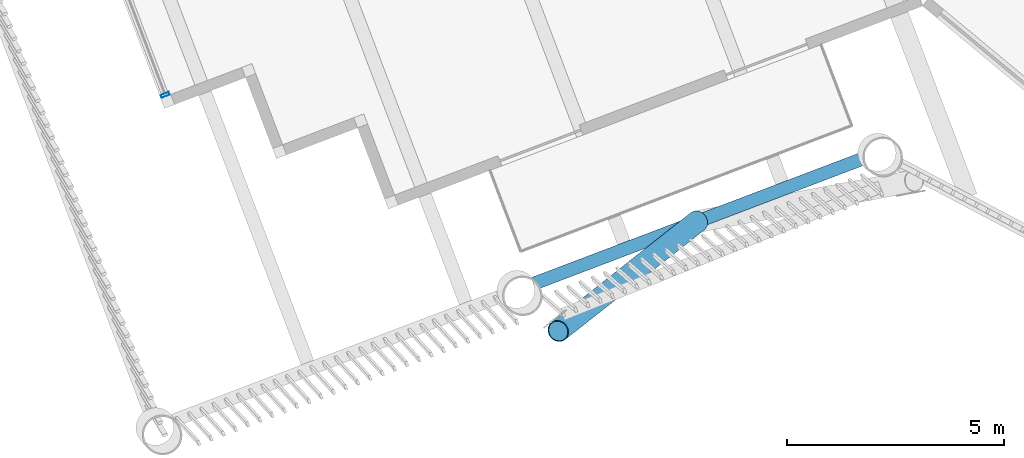
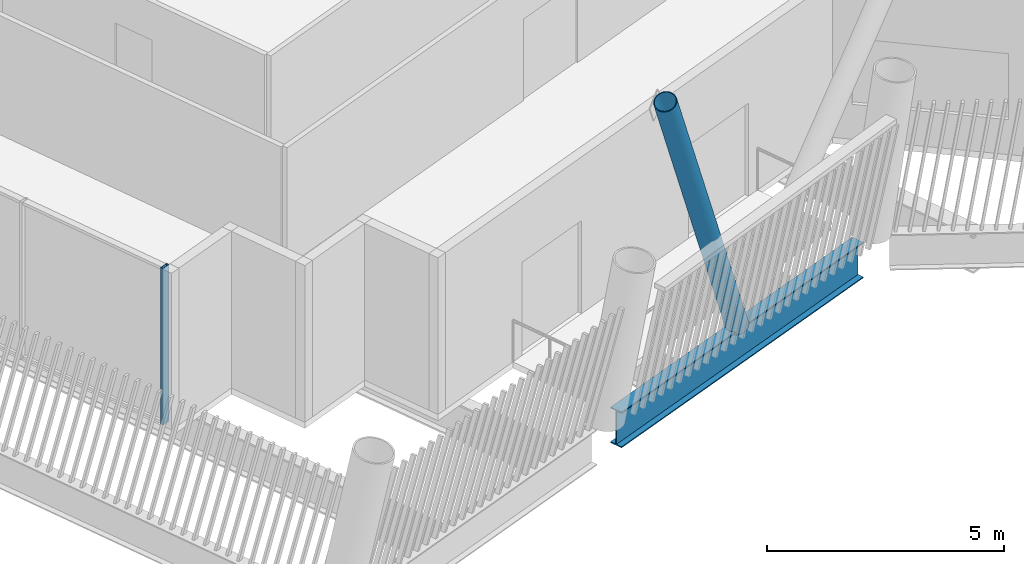
# One storey, part 2 of 33: 2 members, 1 beam, 1 element without a shape of its own.
"""IFC4 building model written with IfcOpenShell, lengths in metres."""

from ifc_helpers import new_model, si_unit, direction, frame, origin, origin_2d, place, context, subcontext, project, spatial, hollow_rectangle, hollow_circle, i_section, extrude, material, layer, layer_set, material_profile, profile_set, type_object, element, aggregate, save


model = new_model("IFC4")

# Units and contexts
model_context = context("Model", 3, precision=1e-05, world=origin(), true_north=direction((0.0, 1.0)))
body_context = subcontext(model_context, "Body", "Model", "MODEL_VIEW")
ifc_project = project(units=[si_unit("LENGTHUNIT", "METRE"), si_unit("AREAUNIT", "SQUARE_METRE"), si_unit("VOLUMEUNIT", "CUBIC_METRE"), si_unit("PLANEANGLEUNIT", "RADIAN"), si_unit("MASSUNIT", "GRAM", prefix="KILO")], contexts=[model_context])

# Site, building, storey
site_placement = place(None, origin())
site = spatial("IfcSite", under=ifc_project, at=site_placement, CompositionType="ELEMENT")
building_placement = place(site_placement, origin())
building = spatial("IfcBuilding", under=site, at=building_placement, Name="Tarsis Ring Headquarters", CompositionType="ELEMENT")
storey_placement = place(building_placement, frame((0.0, 0.0, 369.199951171875)))
storey = spatial("IfcBuildingStorey", under=building, at=storey_placement, Name="L87", CompositionType="ELEMENT", Elevation=369.199951171875)

# Curtain wall, member
ifc_material_1 = material(Name="Aluminium curtain wall", Category="aluminium")
ifc_layer = layer(ifc_material_1, 0.199951171875)
ifc_layer_set = layer_set([ifc_layer], Name="Curtain wall executive tip")
curtain_wall_type = type_object("IfcCurtainWallType", Name="Curtain wall executive tip", PredefinedType="NOTDEFINED", material=ifc_layer_set)
curtain_wall_placement = place(storey_placement, origin())
curtain_wall = element("IfcCurtainWall", 1, at=curtain_wall_placement, inside=storey, type_object=curtain_wall_type, Name="Curtain wall L87-36", PredefinedType="NOTDEFINED")
ifc_material_2 = material(Name="Aluminium mullion", Category="aluminium")
ifc_material_profile_1 = material_profile(ifc_material_2, hollow_rectangle(XDim=0.199951171875, YDim=0.070068359375, WallThickness=0.0048828125, at=origin_2d()), Name="RHS 200x70x5")
ifc_profile_set_1 = profile_set([ifc_material_profile_1], Name="Aluminium mullion")
member_type_1 = type_object("IfcMemberType", Name="Curtain wall mullion executive tip RHS 200x70x5", PredefinedType="MULLION", material=ifc_profile_set_1)
member_1_placement = place(storey_placement, frame((-34.53662109375, -21.3720703125, 0.0), z_axis=(0.0, 0.0, 1.0), x_axis=(0.934825674754, 0.355106966732, 0.0)))
member_1 = element("IfcMember", 2, at=member_1_placement, type_object=member_type_1, Name="CW-E mullion 5", PredefinedType="MULLION", context=body_context, shape_type="SweptSolid", body=[
    extrude(hollow_rectangle(XDim=0.199951171875, YDim=0.070068359375, WallThickness=0.0048828125, at=origin_2d()), origin(), (0.0, 0.0, 1.0), 4.0400390625),
])
aggregate(curtain_wall, [member_1])

# Member
ifc_material_3 = material(Name="Structural steel S355", Category="steel")
ifc_material_profile_2 = material_profile(ifc_material_3, hollow_circle(Radius=0.25390625, WallThickness=0.02001953125, at=origin_2d()), Name="CHS 508x20")
ifc_profile_set_2 = profile_set([ifc_material_profile_2], Name="Structural steel S355")
member_type_2 = type_object("IfcMemberType", Name="XD X brace CHS 508x20", PredefinedType="BRACE", material=ifc_profile_set_2)
member_2_placement = place(storey_placement, frame((-22.27197265625, -24.292236328125, 0.0), z_axis=(-0.34317951574, -0.270182623469, 0.899571659154), x_axis=(0.618587912874, -0.785715593612, 0.0)))
element("IfcMember", 3, at=member_2_placement, inside=storey, type_object=member_type_2, Name="X brace XD2", PredefinedType="BRACE", context=body_context, shape_type="SweptSolid", body=[
    extrude(hollow_circle(Radius=0.25390625, WallThickness=0.02001953125, at=origin_2d()), origin(), (0.0, 0.0, 1.0), 9.337890625),
])

# Beam
ifc_material_profile_3 = material_profile(ifc_material_3, i_section(OverallWidth=0.3046875, OverallDepth=0.91943359375, WebThickness=0.017333984375, FlangeThickness=0.02783203125, at=origin_2d()), Name="W36x170")
ifc_profile_set_3 = profile_set([ifc_material_profile_3], Name="Structural steel S355")
beam_type = type_object("IfcBeamType", Name="XG Ring girder W36x170", PredefinedType="BEAM", material=ifc_profile_set_3)
beam_placement = place(storey_placement, frame((-26.04833984375, -25.7265625, -0.459716796875), z_axis=(0.934830531581, 0.35509418078, 0.0), x_axis=(-0.35509418078, 0.934830531581, 0.0)))
element("IfcBeam", 4, at=beam_placement, inside=storey, type_object=beam_type, Name="Ring girder XG4", PredefinedType="BEAM", context=body_context, shape_type="SweptSolid", body=[
    extrude(i_section(OverallWidth=0.3046875, OverallDepth=0.91943359375, WebThickness=0.017333984375, FlangeThickness=0.02783203125, at=origin_2d()), origin(), (0.0, 0.0, 1.0), 8.079345703125),
])

save(model, "model.ifc")
